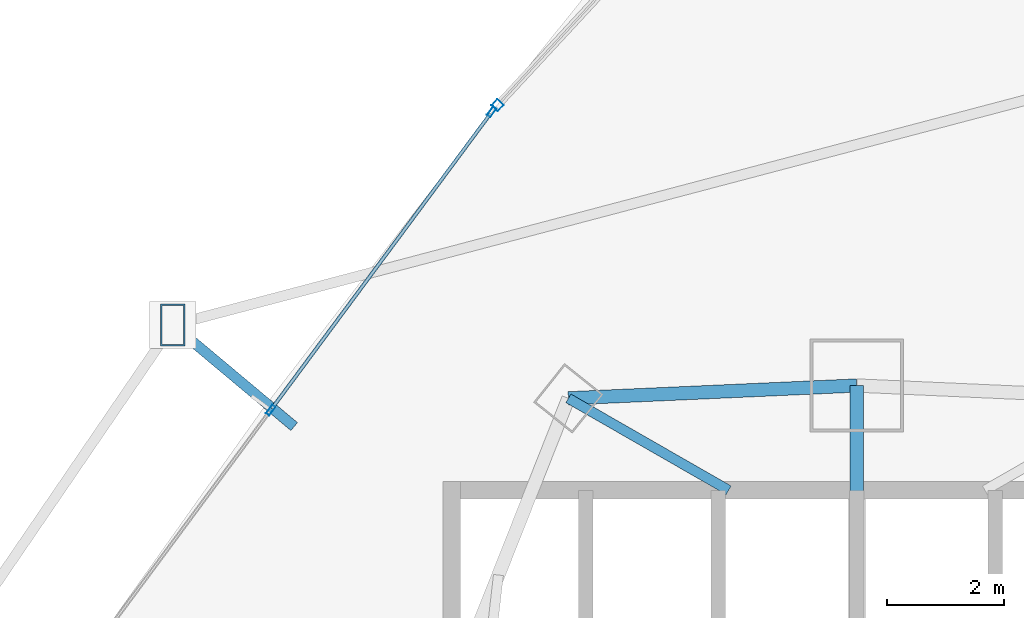
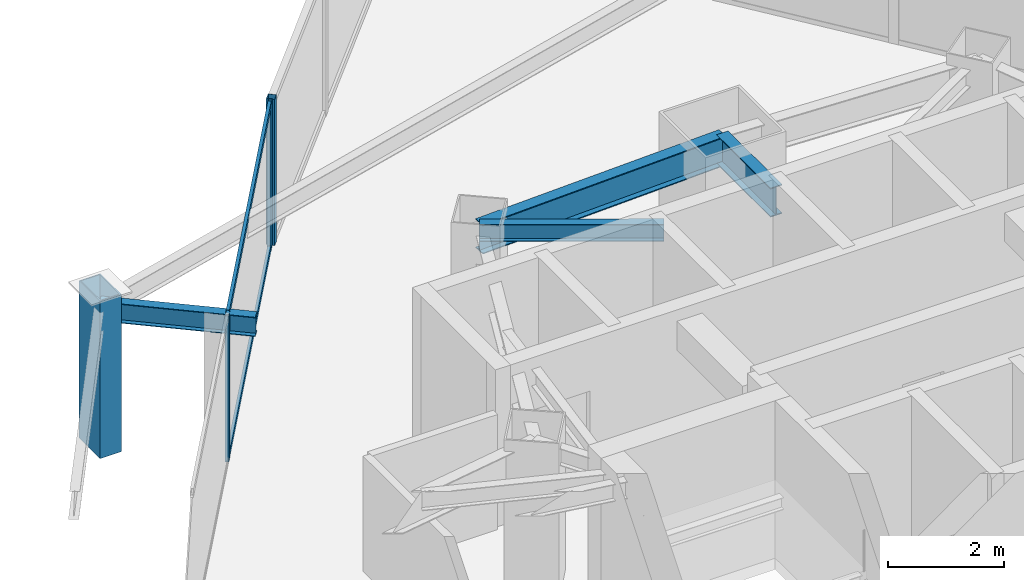
# One storey, part 25 of 38: 6 members, 4 beams, 2 elements without a shape of their own.
"""IFC4 building model written with IfcOpenShell, lengths in metres."""

from ifc_helpers import new_model, si_unit, direction, frame, origin, origin_2d, place, context, subcontext, project, spatial, hollow_rectangle, i_section, extrude, material, layer, layer_set, material_profile, profile_set, type_object, element, aggregate, save


model = new_model("IFC4")

# Units and contexts
model_context = context("Model", 3, precision=1e-05, world=origin(), true_north=direction((0.0, 1.0)))
body_context = subcontext(model_context, "Body", "Model", "MODEL_VIEW")
ifc_project = project(units=[si_unit("LENGTHUNIT", "METRE"), si_unit("AREAUNIT", "SQUARE_METRE"), si_unit("VOLUMEUNIT", "CUBIC_METRE"), si_unit("PLANEANGLEUNIT", "RADIAN"), si_unit("MASSUNIT", "GRAM", prefix="KILO")], contexts=[model_context])

# Site, building, storey
site_placement = place(None, origin())
site = spatial("IfcSite", under=ifc_project, at=site_placement, CompositionType="ELEMENT")
building_placement = place(site_placement, origin())
building = spatial("IfcBuilding", under=site, at=building_placement, Name="Orvanel Arch Residences", CompositionType="ELEMENT")
storey_placement = place(building_placement, frame((0.0, 0.0, 50.0)))
storey = spatial("IfcBuildingStorey", under=building, at=storey_placement, Name="L13", CompositionType="ELEMENT", Elevation=50.0)

# Beams
ifc_material_1 = material(Name="Structural steel AS/NZS 3679.1 Grade 300 (300 MPa)", Category="steel")
ifc_material_profile_1 = material_profile(ifc_material_1, i_section(OverallWidth=0.22900390625, OverallDepth=0.612060546875, WebThickness=0.011962890625, FlangeThickness=0.01953125, at=origin_2d()), Name="610UB125")
ifc_profile_set_1 = profile_set([ifc_material_profile_1], Name="Structural steel AS/NZS 3679.1 Grade 300 (300 MPa)")
beam_type_1 = type_object("IfcBeamType", Name="BG-610UB", PredefinedType="BEAM", material=ifc_profile_set_1)
beam_1_placement = place(storey_placement, frame((33.0, 39.550048828125, 2.75390625), z_axis=(0.0, 1.0, 0.0), x_axis=(-1.0, 0.0, 0.0)))
element("IfcBeam", 1, at=beam_1_placement, inside=storey, type_object=beam_type_1, Name="L13 North Radial Girder", PredefinedType="BEAM", context=body_context, shape_type="SweptSolid", body=[
    extrude(i_section(OverallWidth=0.22900390625, OverallDepth=0.612060546875, WebThickness=0.011962890625, FlangeThickness=0.01953125, at=origin_2d()), origin(), (0.0, 0.0, 1.0), 1.847900390625),
])
ifc_material_profile_2 = material_profile(ifc_material_1, i_section(OverallWidth=0.1708984375, OverallDepth=0.35595703125, WebThickness=0.00732421875, FlangeThickness=0.011474609375, at=origin_2d()), Name="360UB50.7")
ifc_profile_set_2 = profile_set([ifc_material_profile_2], Name="Structural steel AS/NZS 3679.1 Grade 300 (300 MPa)")
beam_type_2 = type_object("IfcBeamType", Name="BJ-360UB", PredefinedType="JOIST", material=ifc_profile_set_2)
beam_2_placement = place(storey_placement, frame((30.800048828125, 39.60009765625, 2.882080078125), z_axis=(-0.86736513383, 0.497672306458, 0.0), x_axis=(-0.497672306458, -0.86736513383, 0.0)))
element("IfcBeam", 2, at=beam_2_placement, inside=storey, type_object=beam_type_2, Name="L13 MNW Wing Floor Joist", PredefinedType="JOIST", context=body_context, shape_type="SweptSolid", body=[
    extrude(i_section(OverallWidth=0.1708984375, OverallDepth=0.35595703125, WebThickness=0.00732421875, FlangeThickness=0.011474609375, at=origin_2d()), origin(), (0.0, 0.0, 1.0), 3.17041015625),
])

# Member
ifc_material_2 = material(Name="Structural steel AS/NZS 3678 Grade 350", Category="steel")
ifc_material_profile_3 = material_profile(ifc_material_2, hollow_rectangle(XDim=0.419921875, YDim=0.719970703125, WallThickness=0.02490234375, at=origin_2d()), Name="RHS720x420x25")
ifc_profile_set_3 = profile_set([ifc_material_profile_3], Name="Structural steel AS/NZS 3678 Grade 350")
member_type_1 = type_object("IfcMemberType", Name="CH-720RHS-EXT", PredefinedType="CHORD", material=ifc_profile_set_3)
member_1_placement = place(storey_placement, frame((21.259033203125, 42.43701171875, 0.0), z_axis=(0.0, 0.0, 1.0), x_axis=(1.0, 0.0, 0.0)))
element("IfcMember", 3, at=member_1_placement, inside=storey, type_object=member_type_1, Name="L13 Outer Perimeter Frame Post 01", PredefinedType="CHORD", context=body_context, shape_type="SweptSolid", body=[
    extrude(hollow_rectangle(XDim=0.419921875, YDim=0.719970703125, WallThickness=0.02490234375, at=origin_2d()), origin(), (0.0, 0.0, 1.0), 3.300048828125),
])

# Curtain wall, member
ifc_material_3 = material(Name="Bronze-anodised aluminium AA6063-T6", Category="aluminium")
ifc_layer_1 = layer(ifc_material_3, 0.18994140625)
ifc_layer_set_1 = layer_set([ifc_layer_1], Name="Bronze-anodised aluminium AA6063-T6")
curtain_wall_type_1 = type_object("IfcCurtainWallType", Name="CW5-CRN-SYS", PredefinedType="NOTDEFINED", material=ifc_layer_set_1)
curtain_wall_1_placement = place(storey_placement, origin())
curtain_wall_1 = element("IfcCurtainWall", 4, at=curtain_wall_1_placement, inside=storey, type_object=curtain_wall_type_1, Name="L13 CW5-CRN-SYS Unitised Curtain Wall", PredefinedType="NOTDEFINED")
ifc_material_profile_4 = material_profile(ifc_material_3, hollow_rectangle(XDim=0.14990234375, YDim=0.14990234375, WallThickness=0.0048828125, at=origin_2d()), Name="ALU150x150x5")
ifc_profile_set_4 = profile_set([ifc_material_profile_4], Name="Bronze-anodised aluminium AA6063-T6")
member_type_2 = type_object("IfcMemberType", Name="MUL-150x150", PredefinedType="MULLION", material=ifc_profile_set_4)
member_2_placement = place(storey_placement, frame((26.83203125, 46.208984375, 0.0), z_axis=(0.0, 0.0, 1.0), x_axis=(0.733235518375, -0.679974760262, 0.0)))
member_2 = element("IfcMember", 5, at=member_2_placement, type_object=member_type_2, Name="CW-S5 mullion 3", PredefinedType="MULLION", context=body_context, shape_type="SweptSolid", body=[
    extrude(hollow_rectangle(XDim=0.14990234375, YDim=0.14990234375, WallThickness=0.0048828125, at=origin_2d()), origin(), (0.0, 0.0, 1.0), 3.06005859375),
])
aggregate(curtain_wall_1, [member_2])

# Curtain wall, members
ifc_layer_2 = layer(ifc_material_3, 0.179931640625)
ifc_layer_set_2 = layer_set([ifc_layer_2], Name="Bronze-anodised aluminium AA6063-T6")
curtain_wall_type_2 = type_object("IfcCurtainWallType", Name="CW2-LOW-SYS", PredefinedType="NOTDEFINED", material=ifc_layer_set_2)
curtain_wall_2_placement = place(storey_placement, origin())
curtain_wall_2 = element("IfcCurtainWall", 6, at=curtain_wall_2_placement, inside=storey, type_object=curtain_wall_type_2, Name="L13 CW2-LOW-SYS Unitised Curtain Wall", PredefinedType="NOTDEFINED")
ifc_material_profile_5 = material_profile(ifc_material_3, hollow_rectangle(XDim=0.070068359375, YDim=0.179931640625, WallThickness=0.00439453125, at=origin_2d()), Name="ALU180x70x4.5")
ifc_profile_set_5 = profile_set([ifc_material_profile_5], Name="Bronze-anodised aluminium AA6063-T6")
member_type_3 = type_object("IfcMemberType", Name="MUL-180x70", PredefinedType="MULLION", material=ifc_profile_set_5)
member_3_placement = place(storey_placement, frame((26.734130859375, 46.094970703125, 0.0), z_axis=(0.0, 0.0, 1.0), x_axis=(0.803367768067, -0.595483189714, 0.0)))
member_3 = element("IfcMember", 7, at=member_3_placement, type_object=member_type_3, Name="CW-S2 mullion 1", PredefinedType="MULLION", context=body_context, shape_type="SweptSolid", body=[
    extrude(hollow_rectangle(XDim=0.070068359375, YDim=0.179931640625, WallThickness=0.00439453125, at=origin_2d()), origin(), (0.0, 0.0, 1.0), 3.06005859375),
])
member_4_placement = place(storey_placement, frame((22.939453125, 40.9755859375, 0.0), z_axis=(0.0, 0.0, 1.0), x_axis=(0.803367768067, -0.595483189714, 0.0)))
member_4 = element("IfcMember", 8, at=member_4_placement, type_object=member_type_3, Name="CW-S2 mullion 2", PredefinedType="MULLION", context=body_context, shape_type="SweptSolid", body=[
    extrude(hollow_rectangle(XDim=0.070068359375, YDim=0.179931640625, WallThickness=0.00439453125, at=origin_2d()), origin(), (0.0, 0.0, 1.0), 3.06005859375),
])

# Beams
ifc_material_profile_6 = material_profile(ifc_material_1, i_section(OverallWidth=0.177978515625, OverallDepth=0.406005859375, WebThickness=0.0078125, FlangeThickness=0.0126953125, at=origin_2d()), Name="410UB59.7")
ifc_profile_set_6 = profile_set([ifc_material_profile_6], Name="Structural steel AS/NZS 3679.1 Grade 300 (300 MPa)")
beam_type_3 = type_object("IfcBeamType", Name="OB-410UB-EXT", PredefinedType="SPANDREL", material=ifc_profile_set_6)
beam_3_placement = place(storey_placement, frame((23.343017578125, 40.693115234375, 2.85693359375), z_axis=(-0.766908829703, 0.641756064968, 0.0), x_axis=(-0.641756064968, -0.766908829703, 0.0)))
element("IfcBeam", 9, at=beam_3_placement, inside=storey, type_object=beam_type_3, Name="L13 Outer Frame Radial Tie Beam 01", PredefinedType="SPANDREL", context=body_context, shape_type="SweptSolid", body=[
    extrude(i_section(OverallWidth=0.177978515625, OverallDepth=0.406005859375, WebThickness=0.0078125, FlangeThickness=0.0126953125, at=origin_2d()), origin(), (0.0, 0.0, 1.0), 2.71728515625),
])
ifc_material_profile_7 = material_profile(ifc_material_1, i_section(OverallWidth=0.22900390625, OverallDepth=0.612060546875, WebThickness=0.011962890625, FlangeThickness=0.01953125, at=origin_2d()), Name="610UB125")
ifc_profile_set_7 = profile_set([ifc_material_profile_7], Name="Structural steel AS/NZS 3679.1 Grade 300 (300 MPa)")
beam_type_4 = type_object("IfcBeamType", Name="SP-610UB", PredefinedType="SPANDREL", material=ifc_profile_set_7)
beam_4_placement = place(storey_placement, frame((33.0, 41.39794921875, 2.75390625), z_axis=(-0.999014049296, -0.044395149614, 0.0), x_axis=(0.044395149614, -0.999014049296, 0.0)))
element("IfcBeam", 10, at=beam_4_placement, inside=storey, type_object=beam_type_4, Name="L13 Perimeter Spandrel Beam 17", PredefinedType="SPANDREL", context=body_context, shape_type="SweptSolid", body=[
    extrude(i_section(OverallWidth=0.22900390625, OverallDepth=0.612060546875, WebThickness=0.011962890625, FlangeThickness=0.01953125, at=origin_2d()), origin(), (0.0, 0.0, 1.0), 4.954833984375),
])

# Member
ifc_material_profile_8 = material_profile(ifc_material_3, hollow_rectangle(XDim=0.06005859375, YDim=0.135009765625, WallThickness=0.00390625, at=origin_2d()), Name="ALU135x60x4")
ifc_profile_set_8 = profile_set([ifc_material_profile_8], Name="Bronze-anodised aluminium AA6063-T6")
member_type_4 = type_object("IfcMemberType", Name="TRN-135x60", PredefinedType="USERDEFINED", material=ifc_profile_set_8)
member_5_placement = place(storey_placement, frame((26.71337890625, 46.066650390625, 0.030029296875), z_axis=(-0.595490625908, -0.803362256056, 0.0), x_axis=(0.803362256056, -0.595490625908, 0.0)))
member_5 = element("IfcMember", 11, at=member_5_placement, type_object=member_type_4, Name="CW-S2 transom 1.1", ObjectType="TRANSOM", PredefinedType="USERDEFINED", context=body_context, shape_type="SweptSolid", body=[
    extrude(hollow_rectangle(XDim=0.06005859375, YDim=0.135009765625, WallThickness=0.00390625, at=origin_2d()), origin(), (0.0, 0.0, 1.0), 6.30224609375),
])

member_6_placement = place(storey_placement, frame((26.71337890625, 46.066650390625, 3.030029296875), z_axis=(-0.595490625908, -0.803362256056, 0.0), x_axis=(0.803362256056, -0.595490625908, 0.0)))
member_6 = element("IfcMember", 12, at=member_6_placement, type_object=member_type_4, Name="CW-S2 transom 1.2", ObjectType="TRANSOM", PredefinedType="USERDEFINED", context=body_context, shape_type="SweptSolid", body=[
    extrude(hollow_rectangle(XDim=0.06005859375, YDim=0.135009765625, WallThickness=0.00390625, at=origin_2d()), origin(), (0.0, 0.0, 1.0), 6.30224609375),
])

aggregate(curtain_wall_2, [member_3, member_4, member_5, member_6])

save(model, "model.ifc")
